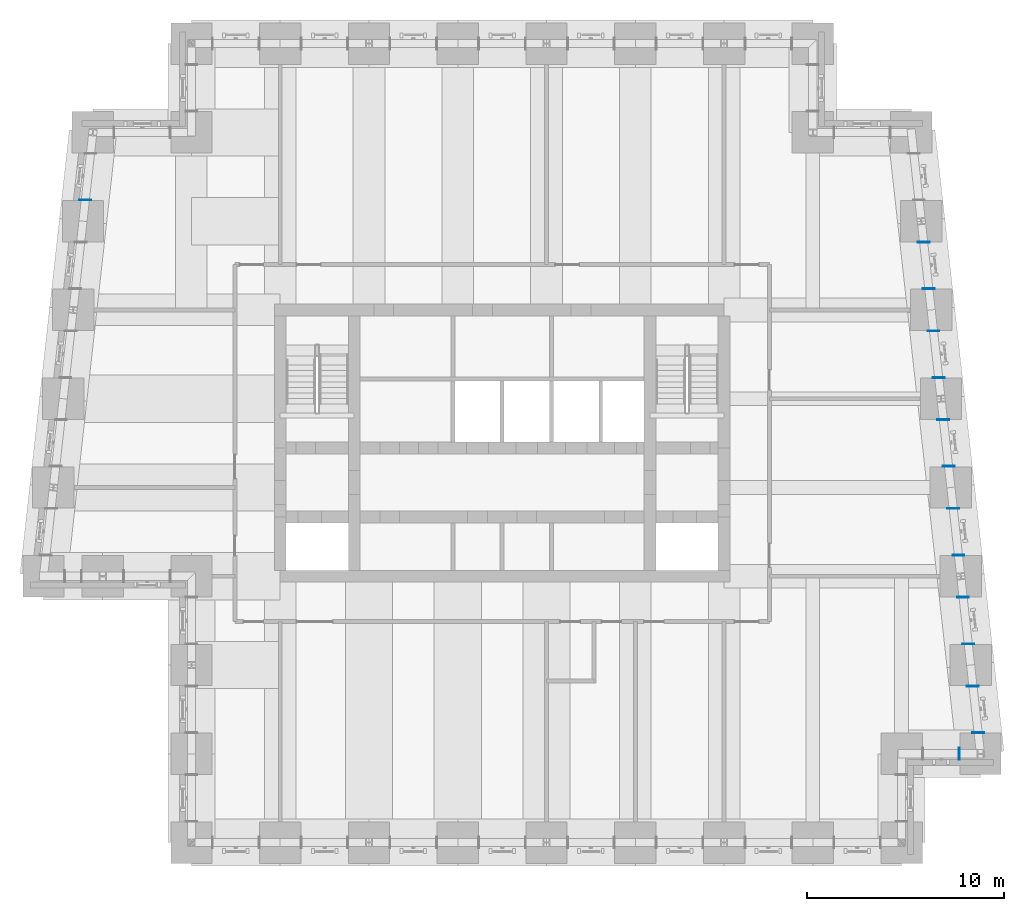
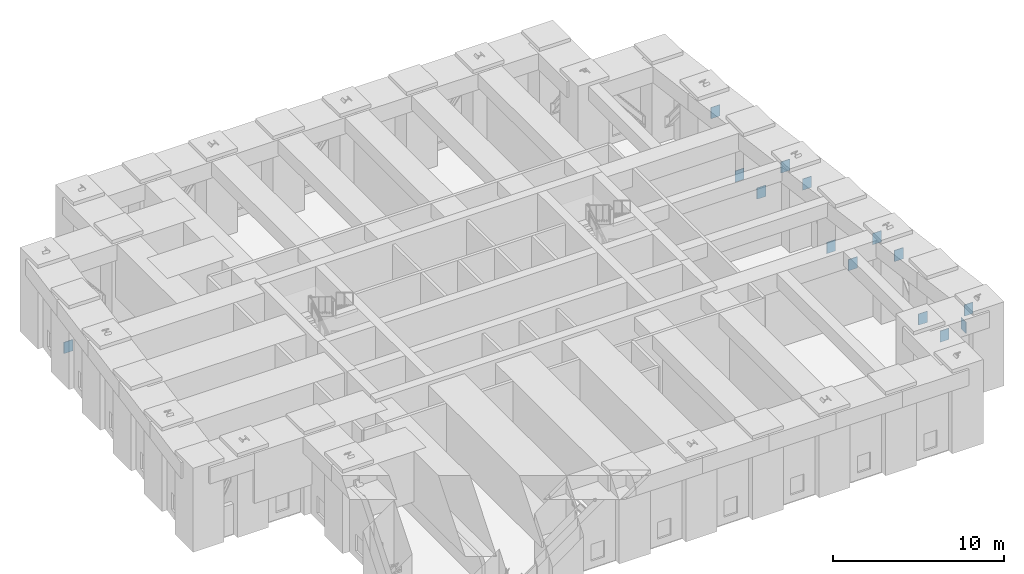
# One storey, part 7 of 17: 14 discrete accessories.
"""IFC4 building model written with IfcOpenShell, lengths in metres."""

import ifcopenshell
import ifcopenshell.guid

model = None  # the IFC model being written
_history = None  # IfcOwnerHistory: only IFC2X3 demands one
_inside = {}  # id of a spatial element -> (the spatial element, [elements in it])
_under = {}  # id of a project, library or spatial element -> (it, [spatial elements below it])
_declared = {}  # id of a project -> (the project, [libraries it declares])
_typed = {}  # id of a type object -> (the type object, [elements of that type])
_made_of = {}  # id of a material, layer set ... -> (it, [elements and type objects made of it])


def new_model(schema):
    """Start an empty IFC model of exactly this schema.

    Asked for "IFC4X3", IfcOpenShell would pick the latest addendum, in which some entities
    have other attributes; the version numbers below select the first issue.
    IFC2X3 requires an IfcOwnerHistory on every rooted entity: one is made here for all.
    """
    global model, _history
    if schema == "IFC4X3":
        model = ifcopenshell.file(schema_version=(4, 3, 0, 0))
    else:
        model = ifcopenshell.file(schema=schema)
    _inside.clear()
    _under.clear()
    _declared.clear()
    _typed.clear()
    _made_of.clear()
    _history = None
    if model.schema == "IFC2X3":
        org = make("IfcOrganization", Name="unknown")
        user = make(
            "IfcPersonAndOrganization",
            ThePerson=make("IfcPerson", FamilyName="unknown"),
            TheOrganization=org,
        )
        app = make(
            "IfcApplication",
            ApplicationDeveloper=org,
            Version="unknown",
            ApplicationFullName="unknown",
            ApplicationIdentifier="unknown",
        )
        _history = make(
            "IfcOwnerHistory",
            OwningUser=user,
            OwningApplication=app,
            ChangeAction="ADDED",
            CreationDate=0,
        )
    return model


def make(cls, **values):
    """One entity of the class cls with the attributes given. An attribute that is None is left unset."""
    return model.create_entity(
        cls, **{name: value for name, value in values.items() if value is not None}
    )


def rooted(cls, **values):
    """An entity with a GlobalId (a new one), such as an element, a storey or a relation."""
    return make(cls, GlobalId=ifcopenshell.guid.new(), OwnerHistory=_history, **values)


def si_unit(unit_type, name, prefix=None):
    """IfcSIUnit, for example si_unit("LENGTHUNIT", "METRE", prefix="MILLI")."""
    return make("IfcSIUnit", UnitType=unit_type, Prefix=prefix, Name=name)


def assignment(units):
    """IfcUnitAssignment: the units of a project."""
    return None if units is None else make("IfcUnitAssignment", Units=units)


def point(xyz):
    """IfcCartesianPoint."""
    return None if xyz is None else make("IfcCartesianPoint", Coordinates=xyz)


def direction(xyz):
    """IfcDirection."""
    return None if xyz is None else make("IfcDirection", DirectionRatios=xyz)


def frame(location, z_axis=None, x_axis=None):
    """IfcAxis2Placement3D, a coordinate frame: its origin and axes. An axis left out is left unset."""
    return make(
        "IfcAxis2Placement3D",
        Location=point(location),
        Axis=direction(z_axis),
        RefDirection=direction(x_axis),
    )


def origin():
    """The frame at (0, 0, 0) with its axes left unset."""
    return frame((0.0, 0.0, 0.0))


def place(relative_to, where):
    """IfcLocalPlacement: puts the frame where relative to a parent placement (None: the world)."""
    return make(
        "IfcLocalPlacement", PlacementRelTo=relative_to, RelativePlacement=where
    )


def context(
    kind, dimensions, precision=None, world=None, true_north=None, identifier=None
):
    """IfcGeometricRepresentationContext, for example the 3D "Model" context."""
    return make(
        "IfcGeometricRepresentationContext",
        ContextIdentifier=identifier,
        ContextType=kind,
        CoordinateSpaceDimension=dimensions,
        Precision=precision,
        WorldCoordinateSystem=world,
        TrueNorth=true_north,
    )


def subcontext(parent, identifier, kind, view, scale=None):
    """IfcGeometricRepresentationSubContext, for example "Body" below "Model"."""
    return make(
        "IfcGeometricRepresentationSubContext",
        ContextIdentifier=identifier,
        ContextType=kind,
        ParentContext=parent,
        TargetScale=scale,
        TargetView=view,
    )


def project(units=None, contexts=None):
    """IfcProject with its units and contexts."""
    return rooted(
        "IfcProject",
        Name="project",
        RepresentationContexts=contexts,
        UnitsInContext=assignment(units),
    )


def spatial(cls, under=None, at=None, **own):
    """A site, building, storey or space (cls), placed at a placement, below another one or the project."""
    s = rooted(cls, ObjectPlacement=at, **own)
    if under is not None:
        _under.setdefault(under.id(), (under, []))[1].append(s)
    return s


def polyline(points):
    """IfcPolyline through the points."""
    return make("IfcPolyline", Points=[point(p) for p in points])


def outline(outer, holes=None, kind="AREA"):
    """IfcArbitraryClosedProfileDef: a profile drawn as a closed curve; with holes, ...WithVoids."""
    if holes is None:
        return make("IfcArbitraryClosedProfileDef", ProfileType=kind, OuterCurve=outer)
    return make(
        "IfcArbitraryProfileDefWithVoids",
        ProfileType=kind,
        OuterCurve=outer,
        InnerCurves=holes,
    )


def extrude(swept, where, along, depth):
    """IfcExtrudedAreaSolid: the profile swept, set in the frame where, extruded along a direction by depth."""
    return make(
        "IfcExtrudedAreaSolid",
        SweptArea=swept,
        Position=where,
        ExtrudedDirection=direction(along),
        Depth=depth,
    )


def shape(context_of_items, identifier, shape_type, items):
    """IfcShapeRepresentation: the items that make up one representation, for example the "Body"."""
    return make(
        "IfcShapeRepresentation",
        ContextOfItems=context_of_items,
        RepresentationIdentifier=identifier,
        RepresentationType=shape_type,
        Items=items,
    )


def source(mapping_origin, context_of_items, identifier, shape_type, items):
    """IfcRepresentationMap: a shape defined once, which mapped items show again and again."""
    return make(
        "IfcRepresentationMap",
        MappingOrigin=mapping_origin,
        MappedRepresentation=shape(context_of_items, identifier, shape_type, items),
    )


def transform(
    local_origin,
    x_axis=None,
    y_axis=None,
    z_axis=None,
    scale=None,
    scale2=None,
    scale3=None,
    uniform=True,
):
    """IfcCartesianTransformationOperator3D, or its non-uniform kind. x_axis, y_axis, z_axis: its Axis1, 2, 3."""
    if uniform:
        return make(
            "IfcCartesianTransformationOperator3D",
            Axis1=direction(x_axis),
            Axis2=direction(y_axis),
            LocalOrigin=point(local_origin),
            Scale=scale,
            Axis3=direction(z_axis),
        )
    return make(
        "IfcCartesianTransformationOperator3DnonUniform",
        Axis1=direction(x_axis),
        Axis2=direction(y_axis),
        LocalOrigin=point(local_origin),
        Scale=scale,
        Axis3=direction(z_axis),
        Scale2=scale2,
        Scale3=scale3,
    )


def mapped(mapping_source, mapping_target):
    """IfcMappedItem: shows the shape of a source again, moved by a transform."""
    return make(
        "IfcMappedItem", MappingSource=mapping_source, MappingTarget=mapping_target
    )


def material(Name=None, Category=None):
    """IfcMaterial."""
    return make("IfcMaterial", Name=Name, Category=Category)


def layer(
    of_material, thickness, ventilated=None, Name=None, Category=None, Priority=None
):
    """IfcMaterialLayer: one layer of a wall or slab, of a material (None: an air gap)."""
    return make(
        "IfcMaterialLayer",
        Material=of_material,
        LayerThickness=thickness,
        IsVentilated=ventilated,
        Name=Name,
        Category=Category,
        Priority=Priority,
    )


def layer_set(layers, Name=None):
    """IfcMaterialLayerSet."""
    return make("IfcMaterialLayerSet", MaterialLayers=layers, LayerSetName=Name)


def made_of(thing, what):
    """Note that an element or type object is made of a material, layer set ...; save() writes the relation."""
    if what is not None:
        _made_of.setdefault(what.id(), (what, []))[1].append(thing)
    return thing


def type_object(cls, material=None, **own):
    """A type object (cls), such as IfcWallType, which elements share."""
    return made_of(rooted(cls, **own), material)


def element(
    cls,
    number,
    at=None,
    inside=None,
    cuts=None,
    type_object=None,
    material=None,
    context=None,
    identifier="Body",
    shape_type=None,
    held_by="IfcProductDefinitionShape",
    body=None,
    shapes=None,
    **own,
):
    """One element of the class cls, such as IfcWall. Its Tag is "e" and its number.

    at: its placement. inside: the storey or other place that contains it. cuts: it is an
    opening in that element (IfcRelVoidsElement). A single representation is given by context,
    identifier, shape_type and body (its items); several are given by shapes. held_by: the class
    of the entity that holds the representations. save() writes the other relations.
    """
    e = rooted(cls, Tag="e%d" % number, ObjectPlacement=at, **own)
    if body is not None:
        shapes = [shape(context, identifier, shape_type, body)]
    if shapes is not None:
        e.Representation = make(held_by, Representations=shapes)
    if inside is not None:
        _inside.setdefault(inside.id(), (inside, []))[1].append(e)
    if cuts is not None:
        rooted(
            "IfcRelVoidsElement", RelatingBuildingElement=cuts, RelatedOpeningElement=e
        )
    if type_object is not None:
        _typed.setdefault(type_object.id(), (type_object, []))[1].append(e)
    return made_of(e, material)


def aggregate(whole, parts):
    """IfcRelAggregates: a whole, such as a stair, and the parts it consists of."""
    return rooted("IfcRelAggregates", RelatingObject=whole, RelatedObjects=parts)


def save(model, path):
    """Write the relations noted so far, then the file.

    IfcRelAggregates (storeys below a building ...), IfcRelContainedInSpatialStructure (elements
    in a storey), IfcRelDefinesByType, IfcRelAssociatesMaterial and IfcRelDeclares: one each for
    every whole, place, type object, material and project.
    """
    for whole, parts in _under.values():
        aggregate(whole, parts)
    for where, things in _inside.values():
        rooted(
            "IfcRelContainedInSpatialStructure",
            RelatedElements=things,
            RelatingStructure=where,
        )
    for kind, things in _typed.values():
        rooted("IfcRelDefinesByType", RelatedObjects=things, RelatingType=kind)
    for what, things in _made_of.values():
        rooted("IfcRelAssociatesMaterial", RelatedObjects=things, RelatingMaterial=what)
    for by, libraries in _declared.values():
        rooted("IfcRelDeclares", RelatingContext=by, RelatedDefinitions=libraries)
    model.write(path)


model = new_model("IFC4")

# Units and contexts
model_context = context("Model", 3, precision=1e-05, world=origin(), true_north=direction((0.0, 1.0)))
body_context = subcontext(model_context, "Body", "Model", "MODEL_VIEW")
ifc_project = project(units=[si_unit("LENGTHUNIT", "METRE"), si_unit("AREAUNIT", "SQUARE_METRE"), si_unit("VOLUMEUNIT", "CUBIC_METRE"), si_unit("PLANEANGLEUNIT", "RADIAN"), si_unit("MASSUNIT", "GRAM", prefix="KILO")], contexts=[model_context])

# Site, building, storey
site_placement = place(None, origin())
site = spatial("IfcSite", under=ifc_project, at=site_placement, CompositionType="ELEMENT")
building_placement = place(site_placement, origin())
building = spatial("IfcBuilding", under=site, at=building_placement, Name="Kilele Tower Hotel", CompositionType="ELEMENT")
storey_placement = place(building_placement, frame((0.0, 0.0, 211.39990234375)))
storey = spatial("IfcBuildingStorey", under=building, at=storey_placement, Name="L55", CompositionType="ELEMENT", Elevation=211.39990234375)

# Discrete accessories
ifc_material = material(Name="Steel S355", Category="steel")
ifc_layer = layer(ifc_material, 0.0400390625)
ifc_layer_set = layer_set([ifc_layer], Name="Steel S355")
discrete_accessory_type = type_object("IfcDiscreteAccessoryType", Name="Cast-in anchor plate 800x600x40", PredefinedType="ANCHORPLATE", material=ifc_layer_set)
shared_shape = source(origin(), body_context, "Body", "SweptSolid", [
    extrude(outline(polyline([(0.0, 0.0), (0.0400390625, 0.0), (0.0400390625, 0.800048828125), (0.0, 0.800048828125), (0.0, 0.0)])), origin(), (0.0, 0.0, 1.0), 0.60009765625),
])
for number, where, z_axis, x_axis, name in (
    (1, (47.949951171875, 4.199951171875, 4.025146484375), (0.0, 1.0, 0.0), (-1.0, 0.0, 0.0), "Cast-in anchor plate L55"),
    (2, (48.583251953125, 5.550048828125, 4.2001953125), (1.0, 0.0, 0.0), (0.0, 1.0, 0.0), "Cast-in anchor plate L55"),
    (3, (48.916748046875, 7.949951171875, 1.0), (-1.0, 0.0, 0.0), (0.0, -1.0, 0.0), "Cast-in anchor plate L55"),
    (4, (48.083251953125, 10.050048828125, 1.0), (1.0, 0.0, 0.0), (0.0, 1.0, 0.0), "Cast-in anchor plate L55"),
    (5, (48.416748046875, 12.449951171875, 4.2001953125), (-1.0, 0.0, 0.0), (0.0, -1.0, 0.0), "Cast-in anchor plate L55"),
    (6, (47.583251953125, 14.550048828125, 4.2001953125), (1.0, 0.0, 0.0), (0.0, 1.0, 0.0), "Cast-in anchor plate L55"),
    (7, (47.916748046875, 16.949951171875, 1.0), (-1.0, 0.0, 0.0), (0.0, -1.0, 0.0), "Cast-in anchor plate L55"),
    (8, (47.083251953125, 19.050048828125, 1.0), (1.0, 0.0, 0.0), (0.0, 1.0, 0.0), "Cast-in anchor plate L55"),
    (9, (47.416748046875, 21.449951171875, 4.2001953125), (-1.0, 0.0, 0.0), (0.0, -1.0, 0.0), "Cast-in anchor plate L55"),
    (10, (46.583251953125, 23.550048828125, 4.2001953125), (1.0, 0.0, 0.0), (0.0, 1.0, 0.0), "Cast-in anchor plate L55"),
    (11, (46.916748046875, 25.949951171875, 1.0), (-1.0, 0.0, 0.0), (0.0, -1.0, 0.0), "Cast-in anchor plate L55"),
    (12, (46.083251953125, 28.050048828125, 1.0), (1.0, 0.0, 0.0), (0.0, 1.0, 0.0), "Cast-in anchor plate L55"),
    (13, (46.416748046875, 30.449951171875, 4.2001953125), (-1.0, 0.0, 0.0), (0.0, -1.0, 0.0), "Cast-in anchor plate L55"),
    (14, (3.316650390625, 32.550048828125, 1.0), (1.0, 0.0, 0.0), (0.0, 1.0, 0.0), "Cast-in anchor plate L55"),
):
    element("IfcDiscreteAccessory", number, at=place(storey_placement, frame(where, z_axis=z_axis, x_axis=x_axis)), inside=storey, type_object=discrete_accessory_type, Name=name, PredefinedType="ANCHORPLATE", context=body_context, shape_type="MappedRepresentation", body=[
        mapped(shared_shape, transform((0.0, 0.0, 0.0))),
    ])

save(model, "model.ifc")
